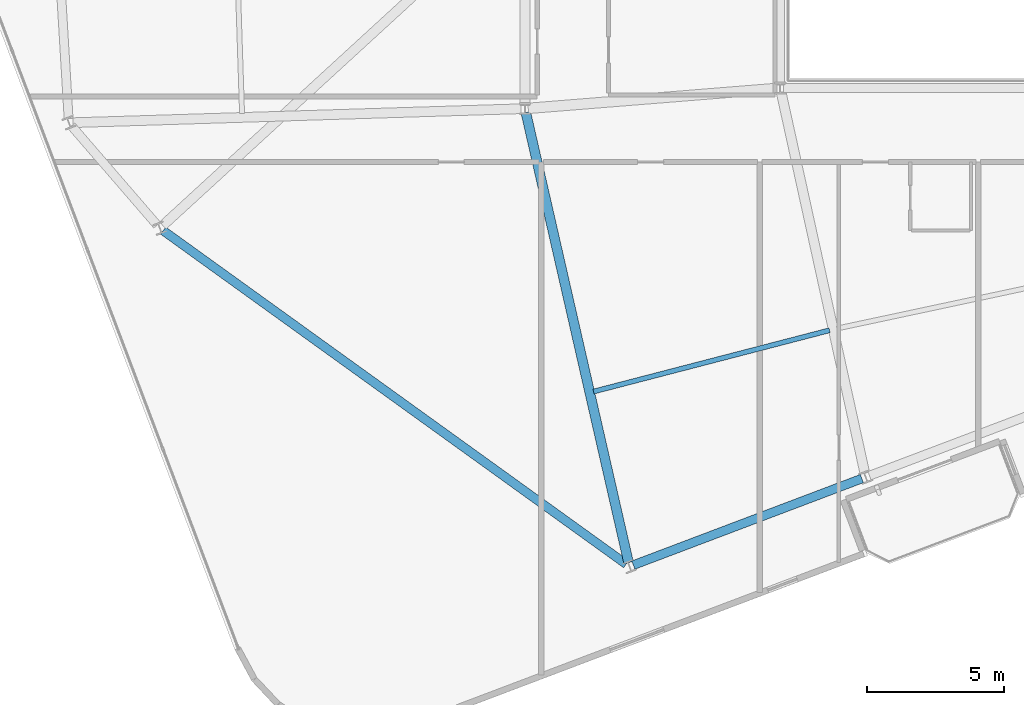
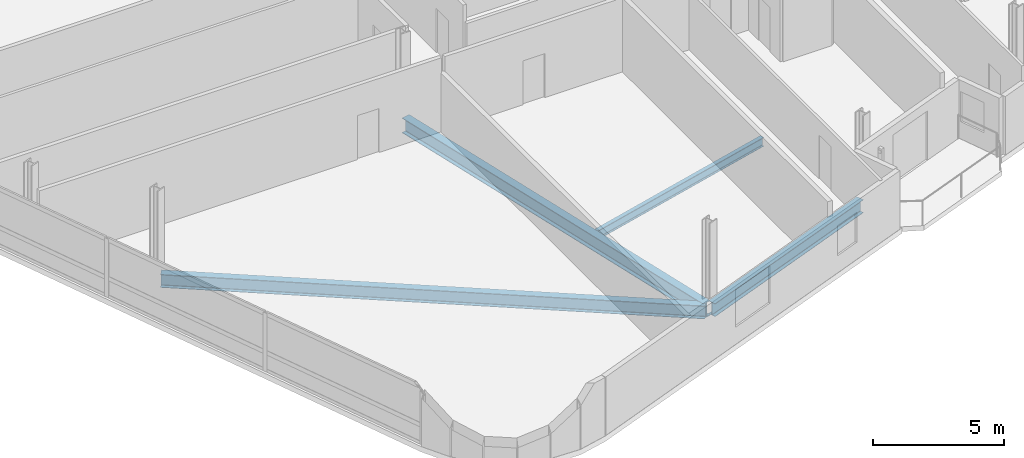
# One storey, part 4 of 20: 4 beams.
"""IFC4 building model written with IfcOpenShell, lengths in metres."""

from ifc_helpers import new_model, si_unit, direction, frame, origin, origin_2d, place, context, subcontext, project, spatial, i_section, extrude, material, material_profile, profile_set, type_object, element, save


model = new_model("IFC4")

# Units and contexts
model_context = context("Model", 3, precision=1e-05, world=origin(), true_north=direction((0.0, 1.0)))
body_context = subcontext(model_context, "Body", "Model", "MODEL_VIEW")
ifc_project = project(units=[si_unit("LENGTHUNIT", "METRE"), si_unit("AREAUNIT", "SQUARE_METRE"), si_unit("VOLUMEUNIT", "CUBIC_METRE"), si_unit("PLANEANGLEUNIT", "RADIAN"), si_unit("MASSUNIT", "GRAM", prefix="KILO")], contexts=[model_context])

# Site, building, storey
site_placement = place(None, origin())
site = spatial("IfcSite", under=ifc_project, at=site_placement, CompositionType="ELEMENT")
building_placement = place(site_placement, origin())
building = spatial("IfcBuilding", under=site, at=building_placement, Name="Varnelok Gate Tower", CompositionType="ELEMENT")
storey_placement = place(building_placement, frame((0.0, 0.0, 234.89990234375)))
storey = spatial("IfcBuildingStorey", under=building, at=storey_placement, Name="L60", CompositionType="ELEMENT", Elevation=234.89990234375)

# Beams
ifc_material = material(Name="Structural Steel ASTM A992 Grade 50", Category="steel")
ifc_material_profile_1 = material_profile(ifc_material, i_section(OverallWidth=0.180908203125, OverallDepth=0.4169921875, WebThickness=0.010986328125, FlangeThickness=0.018310546875, FilletRadius=0.013916015625, at=origin_2d()), Name="W16X57")
ifc_profile_set_1 = profile_set([ifc_material_profile_1], Name="Structural Steel ASTM A992 Grade 50")
beam_type_1 = type_object("IfcBeamType", Name="BM-JST-W16X57", PredefinedType="JOIST", material=ifc_profile_set_1)
beam_1_placement = place(storey_placement, frame((26.909423828125, 8.4365234375, -0.45849609375), z_axis=(0.967889835008, 0.251374754675, 0.0), x_axis=(-0.251374754675, 0.967889835008, 0.0)))
element("IfcBeam", 1, at=beam_1_placement, inside=storey, type_object=beam_type_1, Name="L60 Sector Floor Joist 1", PredefinedType="JOIST", context=body_context, shape_type="SweptSolid", body=[
    extrude(i_section(OverallWidth=0.180908203125, OverallDepth=0.4169921875, WebThickness=0.010986328125, FlangeThickness=0.018310546875, FilletRadius=0.013916015625, at=origin_2d()), origin(), (0.0, 0.0, 1.0), 8.932373046875),
])
ifc_material_profile_2 = material_profile(ifc_material, i_section(OverallWidth=0.35498046875, OverallDepth=0.696044921875, WebThickness=0.015380859375, FlangeThickness=0.02490234375, FilletRadius=0.02001953125, at=origin_2d()), Name="W27X146")
ifc_profile_set_2 = profile_set([ifc_material_profile_2], Name="Structural Steel ASTM A992 Grade 50")
beam_type_2 = type_object("IfcBeamType", Name="BM-PRI-W27X146", PredefinedType="BEAM", material=ifc_profile_set_2)
beam_2_placement = place(storey_placement, frame((24.433349609375, 18.65380859375, -0.597900390625), z_axis=(0.222569880735, -0.974916739106, 0.0), x_axis=(0.974916739106, 0.222569880735, 0.0)))
element("IfcBeam", 2, at=beam_2_placement, inside=storey, type_object=beam_type_2, Name="L60 Radial Floor Girder 1", PredefinedType="BEAM", context=body_context, shape_type="SweptSolid", body=[
    extrude(i_section(OverallWidth=0.35498046875, OverallDepth=0.696044921875, WebThickness=0.015380859375, FlangeThickness=0.02490234375, FilletRadius=0.02001953125, at=origin_2d()), origin(), (0.0, 0.0, 1.0), 16.903564453125),
])
ifc_material_profile_3 = material_profile(ifc_material, i_section(OverallWidth=0.323974609375, OverallDepth=0.611083984375, WebThickness=0.0126953125, FlangeThickness=0.01904296875, FilletRadius=0.01806640625, at=origin_2d()), Name="W24X104")
ifc_profile_set_3 = profile_set([ifc_material_profile_3], Name="Structural Steel ASTM A992 Grade 50")
beam_type_3 = type_object("IfcBeamType", Name="BM-SPN-W24X104", PredefinedType="SPANDREL", material=ifc_profile_set_3)
beam_3_placement = place(storey_placement, frame((28.369384765625, 2.081298828125, -0.555419921875), z_axis=(0.935225969099, 0.354051389947, 0.0), x_axis=(-0.354051389947, 0.935225969099, 0.0)))
element("IfcBeam", 3, at=beam_3_placement, inside=storey, type_object=beam_type_3, Name="L60 Perimeter Spandrel Beam 1", PredefinedType="SPANDREL", context=body_context, shape_type="SweptSolid", body=[
    extrude(i_section(OverallWidth=0.323974609375, OverallDepth=0.611083984375, WebThickness=0.0126953125, FlangeThickness=0.01904296875, FilletRadius=0.01806640625, at=origin_2d()), origin(), (0.0, 0.0, 1.0), 8.949951171875),
])
beam_4_placement = place(storey_placement, frame((11.148681640625, 14.33251953125, -0.555419921875), z_axis=(0.811386760244, -0.584509645173, 0.0), x_axis=(0.584509645173, 0.811386760244, 0.0)))
element("IfcBeam", 4, at=beam_4_placement, inside=storey, type_object=beam_type_3, Name="L60 Perimeter Spandrel Beam 16", PredefinedType="SPANDREL", context=body_context, shape_type="SweptSolid", body=[
    extrude(i_section(OverallWidth=0.323974609375, OverallDepth=0.611083984375, WebThickness=0.0126953125, FlangeThickness=0.01904296875, FilletRadius=0.01806640625, at=origin_2d()), origin(), (0.0, 0.0, 1.0), 20.90087890625),
])

save(model, "model.ifc")
